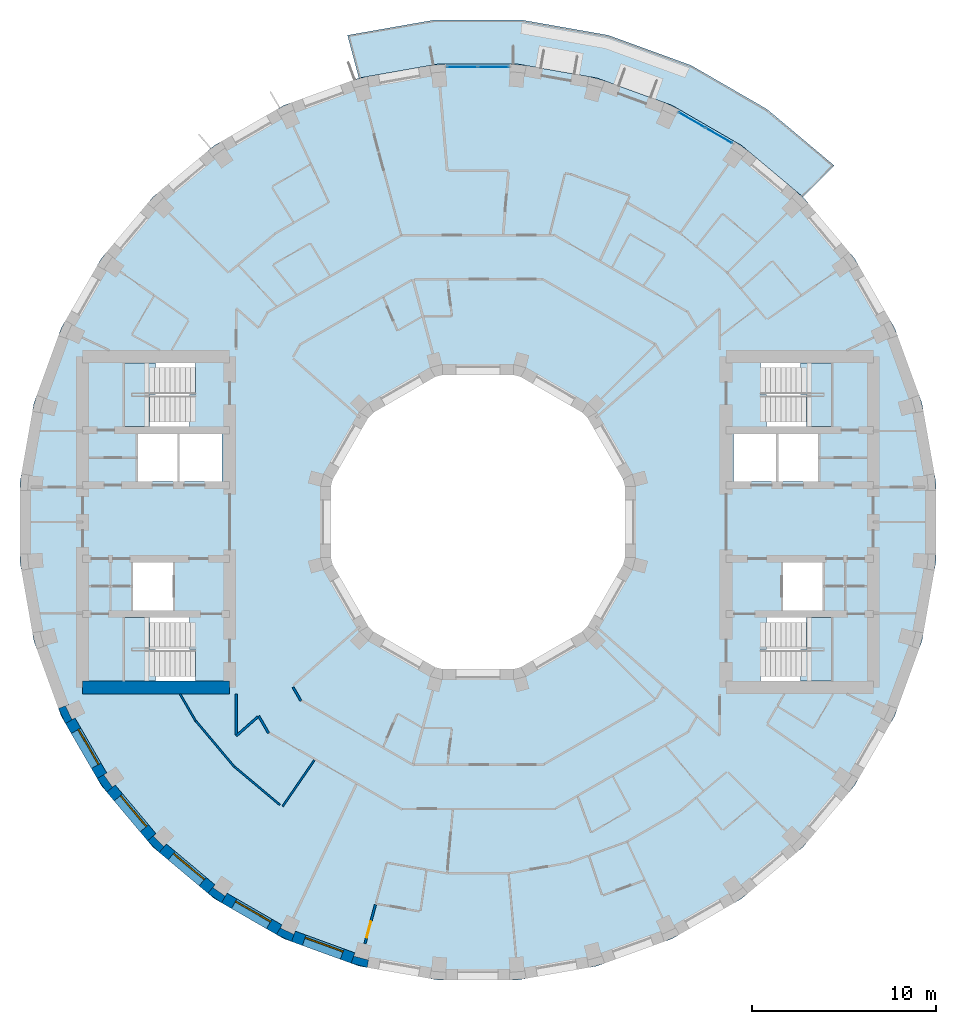
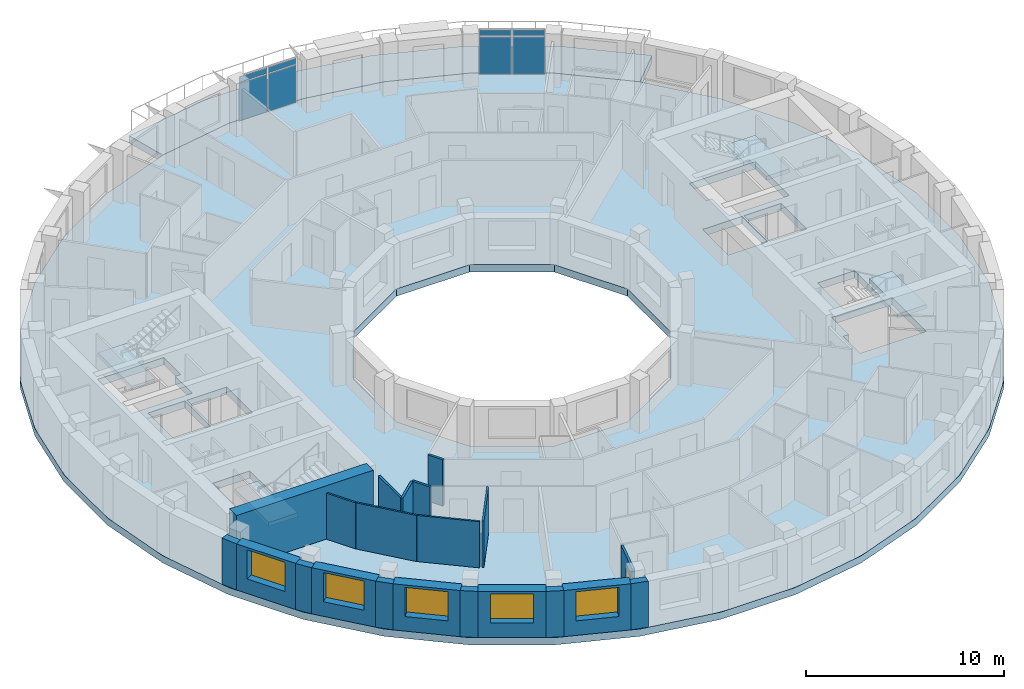
# One storey, part 3 of 13: 21 walls, 8 plates, 6 slabs, 5 windows, 1 door, 6 openings, 6 elements without a shape of their own.
"""IFC4 building model written with IfcOpenShell, lengths in metres."""

import ifcopenshell
import ifcopenshell.guid

model = None  # the IFC model being written
_history = None  # IfcOwnerHistory: only IFC2X3 demands one
_inside = {}  # id of a spatial element -> (the spatial element, [elements in it])
_under = {}  # id of a project, library or spatial element -> (it, [spatial elements below it])
_declared = {}  # id of a project -> (the project, [libraries it declares])
_typed = {}  # id of a type object -> (the type object, [elements of that type])
_made_of = {}  # id of a material, layer set ... -> (it, [elements and type objects made of it])


def new_model(schema):
    """Start an empty IFC model of exactly this schema.

    Asked for "IFC4X3", IfcOpenShell would pick the latest addendum, in which some entities
    have other attributes; the version numbers below select the first issue.
    IFC2X3 requires an IfcOwnerHistory on every rooted entity: one is made here for all.
    """
    global model, _history
    if schema == "IFC4X3":
        model = ifcopenshell.file(schema_version=(4, 3, 0, 0))
    else:
        model = ifcopenshell.file(schema=schema)
    _inside.clear()
    _under.clear()
    _declared.clear()
    _typed.clear()
    _made_of.clear()
    _history = None
    if model.schema == "IFC2X3":
        org = make("IfcOrganization", Name="unknown")
        user = make(
            "IfcPersonAndOrganization",
            ThePerson=make("IfcPerson", FamilyName="unknown"),
            TheOrganization=org,
        )
        app = make(
            "IfcApplication",
            ApplicationDeveloper=org,
            Version="unknown",
            ApplicationFullName="unknown",
            ApplicationIdentifier="unknown",
        )
        _history = make(
            "IfcOwnerHistory",
            OwningUser=user,
            OwningApplication=app,
            ChangeAction="ADDED",
            CreationDate=0,
        )
    return model


def make(cls, **values):
    """One entity of the class cls with the attributes given. An attribute that is None is left unset."""
    return model.create_entity(
        cls, **{name: value for name, value in values.items() if value is not None}
    )


def rooted(cls, **values):
    """An entity with a GlobalId (a new one), such as an element, a storey or a relation."""
    return make(cls, GlobalId=ifcopenshell.guid.new(), OwnerHistory=_history, **values)


def si_unit(unit_type, name, prefix=None):
    """IfcSIUnit, for example si_unit("LENGTHUNIT", "METRE", prefix="MILLI")."""
    return make("IfcSIUnit", UnitType=unit_type, Prefix=prefix, Name=name)


def assignment(units):
    """IfcUnitAssignment: the units of a project."""
    return None if units is None else make("IfcUnitAssignment", Units=units)


def point(xyz):
    """IfcCartesianPoint."""
    return None if xyz is None else make("IfcCartesianPoint", Coordinates=xyz)


def direction(xyz):
    """IfcDirection."""
    return None if xyz is None else make("IfcDirection", DirectionRatios=xyz)


def frame(location, z_axis=None, x_axis=None):
    """IfcAxis2Placement3D, a coordinate frame: its origin and axes. An axis left out is left unset."""
    return make(
        "IfcAxis2Placement3D",
        Location=point(location),
        Axis=direction(z_axis),
        RefDirection=direction(x_axis),
    )


def frame_2d(location, x_axis=None):
    """IfcAxis2Placement2D, a coordinate frame in the plane: its origin and x axis."""
    return make(
        "IfcAxis2Placement2D", Location=point(location), RefDirection=direction(x_axis)
    )


def origin():
    """The frame at (0, 0, 0) with its axes left unset."""
    return frame((0.0, 0.0, 0.0))


def origin_2d():
    """The frame at (0, 0) in the plane with its x axis left unset."""
    return frame_2d((0.0, 0.0))


def place(relative_to, where):
    """IfcLocalPlacement: puts the frame where relative to a parent placement (None: the world)."""
    return make(
        "IfcLocalPlacement", PlacementRelTo=relative_to, RelativePlacement=where
    )


def context(
    kind, dimensions, precision=None, world=None, true_north=None, identifier=None
):
    """IfcGeometricRepresentationContext, for example the 3D "Model" context."""
    return make(
        "IfcGeometricRepresentationContext",
        ContextIdentifier=identifier,
        ContextType=kind,
        CoordinateSpaceDimension=dimensions,
        Precision=precision,
        WorldCoordinateSystem=world,
        TrueNorth=true_north,
    )


def subcontext(parent, identifier, kind, view, scale=None):
    """IfcGeometricRepresentationSubContext, for example "Body" below "Model"."""
    return make(
        "IfcGeometricRepresentationSubContext",
        ContextIdentifier=identifier,
        ContextType=kind,
        ParentContext=parent,
        TargetScale=scale,
        TargetView=view,
    )


def project(units=None, contexts=None):
    """IfcProject with its units and contexts."""
    return rooted(
        "IfcProject",
        Name="project",
        RepresentationContexts=contexts,
        UnitsInContext=assignment(units),
    )


def spatial(cls, under=None, at=None, **own):
    """A site, building, storey or space (cls), placed at a placement, below another one or the project."""
    s = rooted(cls, ObjectPlacement=at, **own)
    if under is not None:
        _under.setdefault(under.id(), (under, []))[1].append(s)
    return s


def polyline(points):
    """IfcPolyline through the points."""
    return make("IfcPolyline", Points=[point(p) for p in points])


def profile(cls, at=None, kind="AREA", **sizes):
    """A parametric profile (cls). Its sizes go by their IFC names, for example OverallWidth=200.0."""
    return make(cls, ProfileType=kind, Position=at, **sizes)


def rectangle(**sizes):
    """IfcRectangleProfileDef."""
    return profile("IfcRectangleProfileDef", **sizes)


def outline(outer, holes=None, kind="AREA"):
    """IfcArbitraryClosedProfileDef: a profile drawn as a closed curve; with holes, ...WithVoids."""
    if holes is None:
        return make("IfcArbitraryClosedProfileDef", ProfileType=kind, OuterCurve=outer)
    return make(
        "IfcArbitraryProfileDefWithVoids",
        ProfileType=kind,
        OuterCurve=outer,
        InnerCurves=holes,
    )


def extrude(swept, where, along, depth):
    """IfcExtrudedAreaSolid: the profile swept, set in the frame where, extruded along a direction by depth."""
    return make(
        "IfcExtrudedAreaSolid",
        SweptArea=swept,
        Position=where,
        ExtrudedDirection=direction(along),
        Depth=depth,
    )


def shape(context_of_items, identifier, shape_type, items):
    """IfcShapeRepresentation: the items that make up one representation, for example the "Body"."""
    return make(
        "IfcShapeRepresentation",
        ContextOfItems=context_of_items,
        RepresentationIdentifier=identifier,
        RepresentationType=shape_type,
        Items=items,
    )


def material(Name=None, Category=None):
    """IfcMaterial."""
    return make("IfcMaterial", Name=Name, Category=Category)


def layer(
    of_material, thickness, ventilated=None, Name=None, Category=None, Priority=None
):
    """IfcMaterialLayer: one layer of a wall or slab, of a material (None: an air gap)."""
    return make(
        "IfcMaterialLayer",
        Material=of_material,
        LayerThickness=thickness,
        IsVentilated=ventilated,
        Name=Name,
        Category=Category,
        Priority=Priority,
    )


def layer_set(layers, Name=None):
    """IfcMaterialLayerSet."""
    return make("IfcMaterialLayerSet", MaterialLayers=layers, LayerSetName=Name)


def made_of(thing, what):
    """Note that an element or type object is made of a material, layer set ...; save() writes the relation."""
    if what is not None:
        _made_of.setdefault(what.id(), (what, []))[1].append(thing)
    return thing


def type_object(cls, material=None, **own):
    """A type object (cls), such as IfcWallType, which elements share."""
    return made_of(rooted(cls, **own), material)


def element(
    cls,
    number,
    at=None,
    inside=None,
    cuts=None,
    type_object=None,
    material=None,
    context=None,
    identifier="Body",
    shape_type=None,
    held_by="IfcProductDefinitionShape",
    body=None,
    shapes=None,
    **own,
):
    """One element of the class cls, such as IfcWall. Its Tag is "e" and its number.

    at: its placement. inside: the storey or other place that contains it. cuts: it is an
    opening in that element (IfcRelVoidsElement). A single representation is given by context,
    identifier, shape_type and body (its items); several are given by shapes. held_by: the class
    of the entity that holds the representations. save() writes the other relations.
    """
    e = rooted(cls, Tag="e%d" % number, ObjectPlacement=at, **own)
    if body is not None:
        shapes = [shape(context, identifier, shape_type, body)]
    if shapes is not None:
        e.Representation = make(held_by, Representations=shapes)
    if inside is not None:
        _inside.setdefault(inside.id(), (inside, []))[1].append(e)
    if cuts is not None:
        rooted(
            "IfcRelVoidsElement", RelatingBuildingElement=cuts, RelatedOpeningElement=e
        )
    if type_object is not None:
        _typed.setdefault(type_object.id(), (type_object, []))[1].append(e)
    return made_of(e, material)


def fill(opening, filler):
    """IfcRelFillsElement: the door or window that sits in an opening."""
    return rooted(
        "IfcRelFillsElement",
        RelatingOpeningElement=opening,
        RelatedBuildingElement=filler,
    )


def aggregate(whole, parts):
    """IfcRelAggregates: a whole, such as a stair, and the parts it consists of."""
    return rooted("IfcRelAggregates", RelatingObject=whole, RelatedObjects=parts)


def save(model, path):
    """Write the relations noted so far, then the file.

    IfcRelAggregates (storeys below a building ...), IfcRelContainedInSpatialStructure (elements
    in a storey), IfcRelDefinesByType, IfcRelAssociatesMaterial and IfcRelDeclares: one each for
    every whole, place, type object, material and project.
    """
    for whole, parts in _under.values():
        aggregate(whole, parts)
    for where, things in _inside.values():
        rooted(
            "IfcRelContainedInSpatialStructure",
            RelatedElements=things,
            RelatingStructure=where,
        )
    for kind, things in _typed.values():
        rooted("IfcRelDefinesByType", RelatedObjects=things, RelatingType=kind)
    for what, things in _made_of.values():
        rooted("IfcRelAssociatesMaterial", RelatedObjects=things, RelatingMaterial=what)
    for by, libraries in _declared.values():
        rooted("IfcRelDeclares", RelatingContext=by, RelatedDefinitions=libraries)
    model.write(path)


model = new_model("IFC4")

# Units and contexts
model_context = context("Model", 3, precision=1e-05, world=origin(), true_north=direction((0.0, 1.0)))
body_context = subcontext(model_context, "Body", "Model", "MODEL_VIEW")
ifc_project = project(units=[si_unit("LENGTHUNIT", "METRE"), si_unit("AREAUNIT", "SQUARE_METRE"), si_unit("VOLUMEUNIT", "CUBIC_METRE"), si_unit("PLANEANGLEUNIT", "RADIAN"), si_unit("MASSUNIT", "GRAM", prefix="KILO")], contexts=[model_context])

# Site, building, storey
site_placement = place(None, origin())
site = spatial("IfcSite", under=ifc_project, at=site_placement, CompositionType="ELEMENT")
building_placement = place(site_placement, origin())
building = spatial("IfcBuilding", under=site, at=building_placement, Name="Saqina Gate Tower", CompositionType="ELEMENT")
storey_placement = place(building_placement, frame((0.0, 0.0, 207.0)))
storey = spatial("IfcBuildingStorey", under=building, at=storey_placement, Name="L59", CompositionType="ELEMENT", Elevation=207.0)

# Curtain wall, plates
ifc_material_1 = material(Name="Aluminium glazing", Category="aluminium")
ifc_layer_1 = layer(ifc_material_1, 0.159912109375)
ifc_layer_set_1 = layer_set([ifc_layer_1], Name="CWT-4")
curtain_wall_type = type_object("IfcCurtainWallType", Name="CWT-4", PredefinedType="NOTDEFINED", material=ifc_layer_set_1)
curtain_wall_1_placement = place(storey_placement, origin())
curtain_wall_1 = element("IfcCurtainWall", 1, at=curtain_wall_1_placement, inside=storey, type_object=curtain_wall_type, Name="Terrace lounge glazing facet 6", PredefinedType="NOTDEFINED")
ifc_material_2 = material(Name="Glass", Category="glass")
ifc_layer_2 = layer(ifc_material_2, 0.028076171875)
ifc_layer_set_2 = layer_set([ifc_layer_2], Name="CWT-4P")
plate_type = type_object("IfcPlateType", Name="CWT-4P", PredefinedType="CURTAIN_PANEL", material=ifc_layer_set_2)
plate_1_placement = place(storey_placement, frame((13.111328125, 21.0146484375, 0.06005859375), z_axis=(0.0, 0.0, 1.0), x_axis=(-0.866017110341, 0.500014364391, 0.0)))
plate_1 = element("IfcPlate", 2, at=plate_1_placement, type_object=plate_type, Name="CW4-06 panel 1.1", PredefinedType="CURTAIN_PANEL", context=body_context, shape_type="SweptSolid", body=[
    extrude(rectangle(XDim=1.634765625, YDim=0.028076171875, at=origin_2d()), origin(), (0.0, 0.0, 1.0), 2.31005859375),
])
plate_2_placement = place(storey_placement, frame((13.111328125, 21.0146484375, 2.43017578125), z_axis=(0.0, 0.0, 1.0), x_axis=(-0.866017110341, 0.500014364391, 0.0)))
plate_2 = element("IfcPlate", 3, at=plate_2_placement, type_object=plate_type, Name="CW4-06 panel 1.2", PredefinedType="CURTAIN_PANEL", context=body_context, shape_type="SweptSolid", body=[
    extrude(rectangle(XDim=1.634765625, YDim=0.028076171875, at=origin_2d()), origin(), (0.0, 0.0, 1.0), 0.360107421875),
])
plate_3_placement = place(storey_placement, frame((11.6435546875, 21.862060546875, 0.06005859375), z_axis=(0.0, 0.0, 1.0), x_axis=(-0.866017110341, 0.500014364391, 0.0)))
plate_3 = element("IfcPlate", 4, at=plate_3_placement, type_object=plate_type, Name="CW4-06 panel 2.1", PredefinedType="CURTAIN_PANEL", context=body_context, shape_type="SweptSolid", body=[
    extrude(rectangle(XDim=1.634765625, YDim=0.028076171875, at=origin_2d()), origin(), (0.0, 0.0, 1.0), 2.31005859375),
])
plate_4_placement = place(storey_placement, frame((11.6435546875, 21.862060546875, 2.43017578125), z_axis=(0.0, 0.0, 1.0), x_axis=(-0.866017110341, 0.500014364391, 0.0)))
plate_4 = element("IfcPlate", 5, at=plate_4_placement, type_object=plate_type, Name="CW4-06 panel 2.2", PredefinedType="CURTAIN_PANEL", context=body_context, shape_type="SweptSolid", body=[
    extrude(rectangle(XDim=1.634765625, YDim=0.028076171875, at=origin_2d()), origin(), (0.0, 0.0, 1.0), 0.360107421875),
])
aggregate(curtain_wall_1, [plate_1, plate_2, plate_3, plate_4])

curtain_wall_2_placement = place(storey_placement, origin())
curtain_wall_2 = element("IfcCurtainWall", 6, at=curtain_wall_2_placement, inside=storey, type_object=curtain_wall_type, Name="Terrace lounge glazing facet 9", PredefinedType="NOTDEFINED")
plate_5_placement = place(storey_placement, frame((0.847412109375, 24.7548828125, 0.06005859375), z_axis=(0.0, 0.0, 1.0), x_axis=(-1.0, 0.0, 0.0)))
plate_5 = element("IfcPlate", 7, at=plate_5_placement, type_object=plate_type, Name="CW4-09 panel 1.1", PredefinedType="CURTAIN_PANEL", context=body_context, shape_type="SweptSolid", body=[
    extrude(rectangle(XDim=1.635009765625, YDim=0.028076171875, at=origin_2d()), origin(), (0.0, 0.0, 1.0), 2.31005859375),
])
plate_6_placement = place(storey_placement, frame((0.847412109375, 24.7548828125, 2.43017578125), z_axis=(0.0, 0.0, 1.0), x_axis=(-1.0, 0.0, 0.0)))
plate_6 = element("IfcPlate", 8, at=plate_6_placement, type_object=plate_type, Name="CW4-09 panel 1.2", PredefinedType="CURTAIN_PANEL", context=body_context, shape_type="SweptSolid", body=[
    extrude(rectangle(XDim=1.635009765625, YDim=0.028076171875, at=origin_2d()), origin(), (0.0, 0.0, 1.0), 0.360107421875),
])
plate_7_placement = place(storey_placement, frame((-0.847412109375, 24.7548828125, 0.06005859375), z_axis=(0.0, 0.0, 1.0), x_axis=(-1.0, 0.0, 0.0)))
plate_7 = element("IfcPlate", 9, at=plate_7_placement, type_object=plate_type, Name="CW4-09 panel 2.1", PredefinedType="CURTAIN_PANEL", context=body_context, shape_type="SweptSolid", body=[
    extrude(rectangle(XDim=1.635009765625, YDim=0.028076171875, at=origin_2d()), origin(), (0.0, 0.0, 1.0), 2.31005859375),
])
plate_8_placement = place(storey_placement, frame((-0.847412109375, 24.7548828125, 2.43017578125), z_axis=(0.0, 0.0, 1.0), x_axis=(-1.0, 0.0, 0.0)))
plate_8 = element("IfcPlate", 10, at=plate_8_placement, type_object=plate_type, Name="CW4-09 panel 2.2", PredefinedType="CURTAIN_PANEL", context=body_context, shape_type="SweptSolid", body=[
    extrude(rectangle(XDim=1.635009765625, YDim=0.028076171875, at=origin_2d()), origin(), (0.0, 0.0, 1.0), 0.360107421875),
])
aggregate(curtain_wall_2, [plate_5, plate_6, plate_7, plate_8])

# Stair, slab
ifc_material_3 = material(Name="Concrete C40/50", Category="concrete")
stair_type = type_object("IfcStairType", Name="EXIT STAIR", PredefinedType="HALF_TURN_STAIR", material=ifc_material_3)
stair_1_placement = place(storey_placement, origin())
stair_1 = element("IfcStair", 11, at=stair_1_placement, inside=storey, type_object=stair_type, Name="EXIT STAIR 1", PredefinedType="HALF_TURN_STAIR")
ifc_material_4 = material(Name="Concrete C40/50", Category="concrete")
ifc_layer_3 = layer(ifc_material_4, 0.25)
ifc_layer_set_3 = layer_set([ifc_layer_3], Name="Concrete C40/50")
slab_type_1 = type_object("IfcSlabType", Name="EXIT STAIR LANDING", PredefinedType="LANDING", material=ifc_layer_set_3)
slab_1_placement = place(storey_placement, frame((0.0, 0.0, 1.39990234375)))
slab_1 = element("IfcSlab", 12, at=slab_1_placement, type_object=slab_type_1, Name="EXIT STAIR 1 LANDING 1", PredefinedType="LANDING", context=body_context, shape_type="SweptSolid", body=[
    extrude(outline(polyline([(19.219970703125, 8.64990234375), (19.219970703125, 5.199951171875), (17.864990234375, 5.199951171875), (17.864990234375, 6.925048828125), (17.534423828125, 6.925048828125), (17.534423828125, 8.64990234375), (17.864990234375, 8.64990234375), (17.8701171875, 8.64990234375), (19.219970703125, 8.64990234375)])), origin(), (0.0, 0.0, 1.0), 0.25),
])
aggregate(stair_1, [slab_1])

stair_2_placement = place(storey_placement, origin())
stair_2 = element("IfcStair", 13, at=stair_2_placement, inside=storey, type_object=stair_type, Name="EXIT STAIR 2", PredefinedType="HALF_TURN_STAIR")
slab_2_placement = place(storey_placement, frame((0.0, 0.0, 1.39990234375)))
slab_2 = element("IfcSlab", 14, at=slab_2_placement, type_object=slab_type_1, Name="EXIT STAIR 2 LANDING 1", PredefinedType="LANDING", context=body_context, shape_type="SweptSolid", body=[
    extrude(outline(polyline([(17.534423828125, -8.64990234375), (17.534423828125, -6.925048828125), (17.864990234375, -6.925048828125), (17.864990234375, -5.199951171875), (19.219970703125, -5.199951171875), (19.219970703125, -8.64990234375), (17.8701171875, -8.64990234375), (17.864990234375, -8.64990234375), (17.534423828125, -8.64990234375)])), origin(), (0.0, 0.0, 1.0), 0.25),
])
aggregate(stair_2, [slab_2])

stair_3_placement = place(storey_placement, origin())
stair_3 = element("IfcStair", 15, at=stair_3_placement, inside=storey, type_object=stair_type, Name="EXIT STAIR 3", PredefinedType="HALF_TURN_STAIR")
slab_3_placement = place(storey_placement, frame((0.0, 0.0, 1.39990234375)))
slab_3 = element("IfcSlab", 16, at=slab_3_placement, type_object=slab_type_1, Name="EXIT STAIR 3 LANDING 1", PredefinedType="LANDING", context=body_context, shape_type="SweptSolid", body=[
    extrude(outline(polyline([(-17.864990234375, 5.199951171875), (-19.219970703125, 5.199951171875), (-19.219970703125, 8.64990234375), (-17.8701171875, 8.64990234375), (-17.864990234375, 8.64990234375), (-17.534423828125, 8.64990234375), (-17.534423828125, 6.925048828125), (-17.864990234375, 6.925048828125), (-17.864990234375, 5.199951171875)])), origin(), (0.0, 0.0, 1.0), 0.25),
])
aggregate(stair_3, [slab_3])

stair_4_placement = place(storey_placement, origin())
stair_4 = element("IfcStair", 17, at=stair_4_placement, inside=storey, type_object=stair_type, Name="EXIT STAIR 4", PredefinedType="HALF_TURN_STAIR")
slab_4_placement = place(storey_placement, frame((0.0, 0.0, 1.39990234375)))
slab_4 = element("IfcSlab", 18, at=slab_4_placement, type_object=slab_type_1, Name="EXIT STAIR 4 LANDING 1", PredefinedType="LANDING", context=body_context, shape_type="SweptSolid", body=[
    extrude(outline(polyline([(-17.534423828125, -6.925048828125), (-17.534423828125, -8.64990234375), (-17.864990234375, -8.64990234375), (-17.8701171875, -8.64990234375), (-19.219970703125, -8.64990234375), (-19.219970703125, -5.199951171875), (-17.864990234375, -5.199951171875), (-17.864990234375, -6.925048828125), (-17.534423828125, -6.925048828125)])), origin(), (0.0, 0.0, 1.0), 0.25),
])
aggregate(stair_4, [slab_4])

# Slabs
ifc_material_5 = material(Name="Concrete C40/50", Category="concrete")
ifc_layer_4 = layer(ifc_material_5, 0.449951171875)
ifc_layer_set_4 = layer_set([ifc_layer_4], Name="Concrete C40/50")
slab_type_2 = type_object("IfcSlabType", Name="STR-POST-TENSIONED FLAT PLATE FLOOR-450", PredefinedType="FLOOR", material=ifc_layer_set_4)
slab_5_placement = place(storey_placement, frame((0.0, 0.0, -0.449951171875)))
element("IfcSlab", 19, at=slab_5_placement, inside=storey, type_object=slab_type_2, Name="L59-SLB01", PredefinedType="FLOOR", context=body_context, shape_type="SweptSolid", body=[
    extrude(outline(polyline([(24.148193359375, -6.470458984375), (24.90478515625, -2.178955078125), (24.90478515625, 2.178955078125), (24.148193359375, 6.470458984375), (22.65771484375, 10.5654296875), (20.478759765625, 14.33935546875), (17.677734375, 17.677734375), (14.33935546875, 20.478759765625), (10.5654296875, 22.65771484375), (6.470458984375, 24.148193359375), (2.178955078125, 24.90478515625), (-2.178955078125, 24.90478515625), (-6.470458984375, 24.148193359375), (-10.5654296875, 22.65771484375), (-14.33935546875, 20.478759765625), (-17.677734375, 17.677734375), (-20.478759765625, 14.33935546875), (-22.65771484375, 10.5654296875), (-24.148193359375, 6.470458984375), (-24.90478515625, 2.178955078125), (-24.90478515625, -2.178955078125), (-24.148193359375, -6.470458984375), (-22.65771484375, -10.5654296875), (-20.478759765625, -14.33935546875), (-17.677734375, -17.677734375), (-14.33935546875, -20.478759765625), (-10.5654296875, -22.65771484375), (-6.470458984375, -24.148193359375), (-2.178955078125, -24.90478515625), (2.178955078125, -24.90478515625), (6.470458984375, -24.148193359375), (10.5654296875, -22.65771484375), (14.33935546875, -20.478759765625), (17.677734375, -17.677734375), (20.478759765625, -14.33935546875), (22.65771484375, -10.5654296875), (24.148193359375, -6.470458984375)]), holes=[polyline([(2.1435546875, 8.0), (5.8564453125, 5.8564453125), (8.0, 2.1435546875), (8.0, -2.1435546875), (5.8564453125, -5.8564453125), (2.1435546875, -8.0), (-2.1435546875, -8.0), (-5.8564453125, -5.8564453125), (-8.0, -2.1435546875), (-8.0, 2.1435546875), (-5.8564453125, 5.8564453125), (-2.1435546875, 8.0), (2.1435546875, 8.0)]), polyline([(-15.35498046875, -8.64990234375), (-19.219970703125, -8.64990234375), (-19.219970703125, -6.925048828125), (-19.219970703125, -5.199951171875), (-15.685546875, -5.199951171875), (-15.685546875, -6.925048828125), (-15.35498046875, -6.925048828125), (-15.35498046875, -8.64990234375)]), polyline([(-16.590087890625, -2.199951171875), (-16.590087890625, -4.800048828125), (-18.75, -4.800048828125), (-18.75, -2.199951171875), (-16.590087890625, -2.199951171875)]), polyline([(-16.340087890625, 4.800048828125), (-16.340087890625, 2.199951171875), (-18.5, 2.199951171875), (-18.5, 4.800048828125), (-16.340087890625, 4.800048828125)]), polyline([(-13.909912109375, 4.800048828125), (-13.909912109375, 2.199951171875), (-16.219970703125, 2.199951171875), (-16.219970703125, 4.800048828125), (-13.909912109375, 4.800048828125)]), polyline([(-19.219970703125, 6.925048828125), (-19.219970703125, 8.64990234375), (-15.35498046875, 8.64990234375), (-15.35498046875, 6.925048828125), (-15.685546875, 6.925048828125), (-15.685546875, 5.199951171875), (-19.219970703125, 5.199951171875), (-19.219970703125, 6.925048828125)]), polyline([(15.35498046875, -8.64990234375), (15.35498046875, -6.925048828125), (15.685546875, -6.925048828125), (15.685546875, -5.199951171875), (19.219970703125, -5.199951171875), (19.219970703125, -6.925048828125), (19.219970703125, -8.64990234375), (15.35498046875, -8.64990234375)]), polyline([(18.75, -2.199951171875), (18.75, -4.800048828125), (16.590087890625, -4.800048828125), (16.590087890625, -2.199951171875), (18.75, -2.199951171875)]), polyline([(16.219970703125, 4.800048828125), (16.219970703125, 2.199951171875), (13.909912109375, 2.199951171875), (13.909912109375, 4.800048828125), (16.219970703125, 4.800048828125)]), polyline([(18.5, 4.800048828125), (18.5, 2.199951171875), (16.340087890625, 2.199951171875), (16.340087890625, 4.800048828125), (18.5, 4.800048828125)]), polyline([(15.685546875, 6.925048828125), (15.35498046875, 6.925048828125), (15.35498046875, 8.64990234375), (19.219970703125, 8.64990234375), (19.219970703125, 6.925048828125), (19.219970703125, 5.199951171875), (15.685546875, 5.199951171875), (15.685546875, 6.925048828125)])]), origin(), (0.0, 0.0, 1.0), 0.449951171875),
])
ifc_material_6 = material(Name="Concrete C40/50", Category="concrete")
ifc_layer_5 = layer(ifc_material_6, 0.449951171875)
ifc_layer_set_5 = layer_set([ifc_layer_5], Name="Concrete C40/50")
slab_type_3 = type_object("IfcSlabType", Name="STR-POST-TENSIONED FLAT PLATE TERRACE-450", PredefinedType="FLOOR", material=ifc_layer_set_5)
slab_6_placement = place(storey_placement, frame((0.0, 0.0, -0.449951171875)))
element("IfcSlab", 20, at=slab_6_placement, inside=storey, type_object=slab_type_3, Name="L59-TRS01", PredefinedType="FLOOR", context=body_context, shape_type="SweptSolid", body=[
    extrude(outline(polyline([(17.677734375, 17.677734375), (14.33935546875, 20.478759765625), (10.5654296875, 22.65771484375), (6.470458984375, 24.148193359375), (2.178955078125, 24.90478515625), (-2.178955078125, 24.90478515625), (-6.470458984375, 24.148193359375), (-7.093994140625, 26.475341796875), (-2.388916015625, 27.304931640625), (2.388916015625, 27.304931640625), (7.093994140625, 26.475341796875), (11.58349609375, 24.841064453125), (15.72119140625, 22.452392578125), (19.381103515625, 19.381103515625), (17.677734375, 17.677734375)])), origin(), (0.0, 0.0, 1.0), 0.449951171875),
])

# Walls
ifc_material_7 = material(Name="Brick masonry (buff)", Category="masonry")
wall_type_1 = type_object("IfcWallType", Name="BRICK PIER COPING BUFF", PredefinedType="SOLIDWALL", material=ifc_material_7)
wall_1_placement = place(storey_placement, origin())
element("IfcWall", 21, at=wall_1_placement, inside=storey, type_object=wall_type_1, Name="Pier cap L59 column 21", PredefinedType="SOLIDWALL", context=body_context, shape_type="SweptSolid", body=[
    extrude(outline(polyline([(-22.4306640625, -10.958740234375), (-21.9111328125, -10.65869140625), (-22.080810546875, -10.73779296875), (-22.4189453125, -10.0126953125), (-22.249267578125, -9.93359375), (-22.81298828125, -10.138916015625), (-22.4306640625, -10.958740234375)])), origin(), (0.0, 0.0, 1.0), 2.85009765625),
])
wall_2_placement = place(storey_placement, origin())
element("IfcWall", 22, at=wall_2_placement, inside=storey, type_object=wall_type_1, Name="Pier cap L59 column 22", PredefinedType="SOLIDWALL", context=body_context, shape_type="SweptSolid", body=[
    extrude(outline(polyline([(-20.705810546875, -13.9462890625), (-20.18701171875, -14.687255859375), (-19.727294921875, -14.301513671875), (-19.880859375, -14.408935546875), (-20.339599609375, -13.753662109375), (-20.186279296875, -13.646240234375), (-20.705810546875, -13.9462890625)])), origin(), (0.0, 0.0, 1.0), 2.85009765625),
])
wall_3_placement = place(storey_placement, origin())
element("IfcWall", 23, at=wall_3_placement, inside=storey, type_object=wall_type_1, Name="Pier cap L59 column 23", PredefinedType="SOLIDWALL", context=body_context, shape_type="SweptSolid", body=[
    extrude(outline(polyline([(-17.329833984375, -17.969482421875), (-16.944091796875, -17.510009765625), (-17.07666015625, -17.642333984375), (-17.642333984375, -17.07666015625), (-17.510009765625, -16.944091796875), (-17.969482421875, -17.329833984375), (-17.329833984375, -17.969482421875)])), origin(), (0.0, 0.0, 1.0), 2.85009765625),
])
wall_4_placement = place(storey_placement, origin())
element("IfcWall", 24, at=wall_4_placement, inside=storey, type_object=wall_type_1, Name="Pier cap L59 column 24", PredefinedType="SOLIDWALL", context=body_context, shape_type="SweptSolid", body=[
    extrude(outline(polyline([(-14.687255859375, -20.18701171875), (-13.9462890625, -20.705810546875), (-13.646240234375, -20.186279296875), (-13.753662109375, -20.339599609375), (-14.408935546875, -19.880859375), (-14.301513671875, -19.727294921875), (-14.687255859375, -20.18701171875)])), origin(), (0.0, 0.0, 1.0), 2.85009765625),
])
wall_5_placement = place(storey_placement, origin())
element("IfcWall", 25, at=wall_5_placement, inside=storey, type_object=wall_type_1, Name="Pier cap L59 column 25", PredefinedType="SOLIDWALL", context=body_context, shape_type="SweptSolid", body=[
    extrude(outline(polyline([(-10.138916015625, -22.81298828125), (-9.93359375, -22.249267578125), (-10.0126953125, -22.4189453125), (-10.73779296875, -22.080810546875), (-10.65869140625, -21.9111328125), (-10.958740234375, -22.4306640625), (-10.138916015625, -22.81298828125)])), origin(), (0.0, 0.0, 1.0), 2.85009765625),
])
wall_6_placement = place(storey_placement, origin())
element("IfcWall", 26, at=wall_6_placement, inside=storey, type_object=wall_type_1, Name="Pier cap L59 column 26", PredefinedType="SOLIDWALL", context=body_context, shape_type="SweptSolid", body=[
    extrude(outline(polyline([(-6.0234375, -24.22705078125), (-5.919189453125, -23.635986328125), (-5.967529296875, -23.81689453125), (-6.740478515625, -23.610107421875), (-6.69189453125, -23.428955078125), (-6.897216796875, -23.992919921875), (-6.0234375, -24.22705078125)])), origin(), (0.0, 0.0, 1.0), 2.85009765625),
])

# Wall, opening, window
ifc_material_8 = material(Name="Brick masonry (buff)", Category="masonry")
ifc_layer_6 = layer(ifc_material_8, 0.60009765625)
ifc_layer_set_6 = layer_set([ifc_layer_6], Name="FW-BRICK-BUFF")
wall_type_2 = type_object("IfcWallType", Name="FW-BRICK-BUFF", PredefinedType="SOLIDWALL", material=ifc_layer_set_6)
wall_7_placement = place(storey_placement, frame((-22.1708984375, -10.80859375, 0.0), z_axis=(0.0, 0.0, 1.0), x_axis=(0.499998129301, -0.86602648383, 0.0)))
wall_7 = element("IfcWall", 27, at=wall_7_placement, inside=storey, type_object=wall_type_2, Name="Facade wall L59 facet 21", PredefinedType="SOLIDWALL", context=body_context, shape_type="SweptSolid", body=[
    extrude(rectangle(XDim=3.44970703125, YDim=0.60009765625, at=frame_2d((1.724853515625, 0.0))), origin(), (0.0, 0.0, 1.0), 2.85009765625),
])
opening_1_placement = place(wall_7_placement, frame((0.625, 0.0, 0.89990234375)))
opening_1 = element("IfcOpeningElement", 28, at=opening_1_placement, cuts=wall_7, Name="Opening G17-W10", PredefinedType="OPENING", context=body_context, shape_type="SweptSolid", body=[
    extrude(rectangle(XDim=2.199951171875, YDim=1.800048828125, at=frame_2d((1.10009765625, 0.89990234375))), frame((0.0, 0.31201171875, 0.0), z_axis=(0.0, -1.0, 0.0), x_axis=(1.0, 0.0, 0.0)), (0.0, 0.0, 1.0), 0.6240234375),
])
ifc_material_9 = material(Name="Aluminium glazing", Category="aluminium")
window_type = type_object("IfcWindowType", Name="WN-C", PartitioningType="SINGLE_PANEL", PredefinedType="WINDOW", material=ifc_material_9)
window_1_placement = place(opening_1_placement, origin())
window_1 = element("IfcWindow", 29, at=window_1_placement, inside=storey, type_object=window_type, Name="Window L59 facet 21", OverallHeight=1.800048828125, OverallWidth=2.199951171875, PartitioningType="SINGLE_PANEL", PredefinedType="WINDOW", context=body_context, shape_type="SweptSolid", body=[
    extrude(rectangle(XDim=2.199951171875, YDim=1.800048828125, at=frame_2d((1.10009765625, 0.89990234375))), frame((0.0, 0.179931640625, 0.0), z_axis=(0.0, -1.0, 0.0), x_axis=(1.0, 0.0, 0.0)), (0.0, 0.0, 1.0), 0.06005859375),
])
fill(opening_1, window_1)

wall_8_placement = place(storey_placement, frame((-19.95703125, -14.494384765625, 0.0), z_axis=(0.0, 0.0, 1.0), x_axis=(0.642770398358, -0.766058884809, 0.0)))
wall_8 = element("IfcWall", 30, at=wall_8_placement, inside=storey, type_object=wall_type_2, Name="Facade wall L59 facet 22", PredefinedType="SOLIDWALL", context=body_context, shape_type="SweptSolid", body=[
    extrude(rectangle(XDim=3.449462890625, YDim=0.60009765625, at=frame_2d((1.724609375, 0.0))), origin(), (0.0, 0.0, 1.0), 2.85009765625),
])
opening_2_placement = place(wall_8_placement, frame((0.625, 0.0, 0.89990234375)))
opening_2 = element("IfcOpeningElement", 31, at=opening_2_placement, cuts=wall_8, Name="Opening G17-W11", PredefinedType="OPENING", context=body_context, shape_type="SweptSolid", body=[
    extrude(rectangle(XDim=2.199951171875, YDim=1.800048828125, at=frame_2d((1.10009765625, 0.89990234375))), frame((0.0, 0.31201171875, 0.0), z_axis=(0.0, -1.0, 0.0), x_axis=(1.0, 0.0, 0.0)), (0.0, 0.0, 1.0), 0.6240234375),
])
window_2_placement = place(opening_2_placement, origin())
window_2 = element("IfcWindow", 32, at=window_2_placement, inside=storey, type_object=window_type, Name="Window L59 facet 22", OverallHeight=1.800048828125, OverallWidth=2.199951171875, PartitioningType="SINGLE_PANEL", PredefinedType="WINDOW", context=body_context, shape_type="SweptSolid", body=[
    extrude(rectangle(XDim=2.199951171875, YDim=1.800048828125, at=frame_2d((1.10009765625, 0.89990234375))), frame((0.0, 0.179931640625, 0.0), z_axis=(0.0, -1.0, 0.0), x_axis=(1.0, 0.0, 0.0)), (0.0, 0.0, 1.0), 0.06005859375),
])
fill(opening_2, window_2)

wall_9_placement = place(storey_placement, frame((-17.136962890625, -17.73974609375, 0.0), z_axis=(0.0, 0.0, 1.0), x_axis=(0.766058884809, -0.642770398358, 0.0)))
wall_9 = element("IfcWall", 33, at=wall_9_placement, inside=storey, type_object=wall_type_2, Name="Facade wall L59 facet 23", PredefinedType="SOLIDWALL", context=body_context, shape_type="SweptSolid", body=[
    extrude(rectangle(XDim=3.449462890625, YDim=0.60009765625, at=frame_2d((1.724609375, 0.0))), origin(), (0.0, 0.0, 1.0), 2.85009765625),
])
opening_3_placement = place(wall_9_placement, frame((0.625, 0.0, 0.89990234375)))
opening_3 = element("IfcOpeningElement", 34, at=opening_3_placement, cuts=wall_9, Name="Opening G17-W12", PredefinedType="OPENING", context=body_context, shape_type="SweptSolid", body=[
    extrude(rectangle(XDim=2.199951171875, YDim=1.800048828125, at=frame_2d((1.10009765625, 0.89990234375))), frame((0.0, 0.31201171875, 0.0), z_axis=(0.0, -1.0, 0.0), x_axis=(1.0, 0.0, 0.0)), (0.0, 0.0, 1.0), 0.6240234375),
])
window_3_placement = place(opening_3_placement, origin())
window_3 = element("IfcWindow", 35, at=window_3_placement, inside=storey, type_object=window_type, Name="Window L59 facet 23", OverallHeight=1.800048828125, OverallWidth=2.199951171875, PartitioningType="SINGLE_PANEL", PredefinedType="WINDOW", context=body_context, shape_type="SweptSolid", body=[
    extrude(rectangle(XDim=2.199951171875, YDim=1.800048828125, at=frame_2d((1.10009765625, 0.89990234375))), frame((0.0, 0.179931640625, 0.0), z_axis=(0.0, -1.0, 0.0), x_axis=(1.0, 0.0, 0.0)), (0.0, 0.0, 1.0), 0.06005859375),
])
fill(opening_3, window_3)

wall_10_placement = place(storey_placement, frame((-13.796142578125, -20.446044921875, 0.0), z_axis=(0.0, 0.0, 1.0), x_axis=(0.86602648383, -0.499998129301, 0.0)))
wall_10 = element("IfcWall", 36, at=wall_10_placement, inside=storey, type_object=wall_type_2, Name="Facade wall L59 facet 24", PredefinedType="SOLIDWALL", context=body_context, shape_type="SweptSolid", body=[
    extrude(rectangle(XDim=3.44970703125, YDim=0.60009765625, at=frame_2d((1.724853515625, 0.0))), origin(), (0.0, 0.0, 1.0), 2.85009765625),
])
opening_4_placement = place(wall_10_placement, frame((0.625, 0.0, 0.89990234375)))
opening_4 = element("IfcOpeningElement", 37, at=opening_4_placement, cuts=wall_10, Name="Opening G17-W13", PredefinedType="OPENING", context=body_context, shape_type="SweptSolid", body=[
    extrude(rectangle(XDim=2.199951171875, YDim=1.800048828125, at=frame_2d((1.10009765625, 0.89990234375))), frame((0.0, 0.31201171875, 0.0), z_axis=(0.0, -1.0, 0.0), x_axis=(1.0, 0.0, 0.0)), (0.0, 0.0, 1.0), 0.6240234375),
])
window_4_placement = place(opening_4_placement, origin())
window_4 = element("IfcWindow", 38, at=window_4_placement, inside=storey, type_object=window_type, Name="Window L59 facet 24", OverallHeight=1.800048828125, OverallWidth=2.199951171875, PartitioningType="SINGLE_PANEL", PredefinedType="WINDOW", context=body_context, shape_type="SweptSolid", body=[
    extrude(rectangle(XDim=2.199951171875, YDim=1.800048828125, at=frame_2d((1.10009765625, 0.89990234375))), frame((0.0, 0.179931640625, 0.0), z_axis=(0.0, -1.0, 0.0), x_axis=(1.0, 0.0, 0.0)), (0.0, 0.0, 1.0), 0.06005859375),
])
fill(opening_4, window_4)

wall_11_placement = place(storey_placement, frame((-10.0361328125, -22.531005859375, 0.0), z_axis=(0.0, 0.0, 1.0), x_axis=(0.93968799822, -0.342032843455, 0.0)))
wall_11 = element("IfcWall", 39, at=wall_11_placement, inside=storey, type_object=wall_type_2, Name="Facade wall L59 facet 25", PredefinedType="SOLIDWALL", context=body_context, shape_type="SweptSolid", body=[
    extrude(rectangle(XDim=3.44970703125, YDim=0.60009765625, at=frame_2d((1.724853515625, 0.0))), origin(), (0.0, 0.0, 1.0), 2.85009765625),
])
opening_5_placement = place(wall_11_placement, frame((0.625, 0.0, 0.89990234375)))
opening_5 = element("IfcOpeningElement", 40, at=opening_5_placement, cuts=wall_11, Name="Opening G17-W14", PredefinedType="OPENING", context=body_context, shape_type="SweptSolid", body=[
    extrude(rectangle(XDim=2.199951171875, YDim=1.800048828125, at=frame_2d((1.10009765625, 0.89990234375))), frame((0.0, 0.31201171875, 0.0), z_axis=(0.0, -1.0, 0.0), x_axis=(1.0, 0.0, 0.0)), (0.0, 0.0, 1.0), 0.6240234375),
])
window_5_placement = place(opening_5_placement, origin())
window_5 = element("IfcWindow", 41, at=window_5_placement, inside=storey, type_object=window_type, Name="Window L59 facet 25", OverallHeight=1.800048828125, OverallWidth=2.199951171875, PartitioningType="SINGLE_PANEL", PredefinedType="WINDOW", context=body_context, shape_type="SweptSolid", body=[
    extrude(rectangle(XDim=2.199951171875, YDim=1.800048828125, at=frame_2d((1.10009765625, 0.89990234375))), frame((0.0, 0.179931640625, 0.0), z_axis=(0.0, -1.0, 0.0), x_axis=(1.0, 0.0, 0.0)), (0.0, 0.0, 1.0), 0.06005859375),
])
fill(opening_5, window_5)

# Walls
ifc_material_10 = material(Name="Gypsum board on steel studs, 100 mm", Category="steel")
ifc_layer_7 = layer(ifc_material_10, 0.10009765625)
ifc_layer_set_7 = layer_set([ifc_layer_7], Name="PARTITION 100")
wall_type_3 = type_object("IfcWallType", Name="PARTITION 100", PredefinedType="PARTITIONING", material=ifc_layer_set_7)
wall_12_placement = place(storey_placement, frame((-16.199951171875, -9.35009765625, 0.0), z_axis=(0.0, 0.0, 1.0), x_axis=(0.499589038157, -0.866262542739, 0.0)))
element("IfcWall", 42, at=wall_12_placement, inside=storey, type_object=wall_type_3, Name="PARTITION PW3-10", PredefinedType="PARTITIONING", context=body_context, shape_type="SweptSolid", body=[
    extrude(rectangle(XDim=1.68994140625, YDim=0.10009765625, at=frame_2d((0.844970703125, 0.0))), origin(), (0.0, 0.0, 1.0), 2.85009765625),
])
wall_13_placement = place(storey_placement, frame((-15.348876953125, -10.808349609375, 0.0), z_axis=(0.0, 0.0, 1.0), x_axis=(0.642857965628, -0.765985401968, 0.0)))
element("IfcWall", 43, at=wall_13_placement, inside=storey, type_object=wall_type_3, Name="PARTITION PW3-15", PredefinedType="PARTITIONING", context=body_context, shape_type="SweptSolid", body=[
    extrude(rectangle(XDim=3.273681640625, YDim=0.10009765625, at=frame_2d((1.63671875, 0.0))), origin(), (0.0, 0.0, 1.0), 2.85009765625),
])
wall_14_placement = place(storey_placement, frame((-13.23876953125, -13.30908203125, 0.0), z_axis=(0.0, 0.0, 1.0), x_axis=(0.76596892519, -0.642877597714, 0.0)))
element("IfcWall", 44, at=wall_14_placement, inside=storey, type_object=wall_type_3, Name="PARTITION PW3-23", PredefinedType="PARTITIONING", context=body_context, shape_type="SweptSolid", body=[
    extrude(rectangle(XDim=3.22314453125, YDim=0.10009765625, at=frame_2d((1.611572265625, 0.0))), origin(), (0.0, 0.0, 1.0), 2.85009765625),
])
wall_15_placement = place(storey_placement, frame((-10.623046875, -15.465087890625, 0.0), z_axis=(0.0, 0.0, 1.0), x_axis=(0.566094144379, 0.824340596902, 0.0)))
element("IfcWall", 45, at=wall_15_placement, inside=storey, type_object=wall_type_3, Name="PARTITION PW3-56", PredefinedType="PARTITIONING", context=body_context, shape_type="SweptSolid", body=[
    extrude(rectangle(XDim=3.0517578125, YDim=0.10009765625, at=frame_2d((1.52587890625, 0.0))), origin(), (0.0, 0.0, 1.0), 2.85009765625),
])
ifc_material_11 = material(Name="Gypsum board on steel studs, 125 mm, fire rated", Category="steel")
ifc_layer_8 = layer(ifc_material_11, 0.125)
ifc_layer_set_8 = layer_set([ifc_layer_8], Name="PARTITION EI 30 125")
wall_type_4 = type_object("IfcWallType", Name="PARTITION EI 30 125", PredefinedType="PARTITIONING", material=ifc_layer_set_8)
wall_16_placement = place(storey_placement, frame((-11.923095703125, -10.549072265625, 0.0), z_axis=(0.0, 0.0, 1.0), x_axis=(0.500304011038, -0.865849811769, 0.0)))
element("IfcWall", 46, at=wall_16_placement, inside=storey, type_object=wall_type_4, Name="PARTITION PW1-02", PredefinedType="PARTITIONING", context=body_context, shape_type="SweptSolid", body=[
    extrude(rectangle(XDim=1.077880859375, YDim=0.125, at=frame_2d((0.5390625, 0.0))), origin(), (0.0, 0.0, 1.0), 2.85009765625),
])
wall_17_placement = place(storey_placement, frame((-10.0576171875, -8.980224609375, 0.0), z_axis=(0.0, 0.0, 1.0), x_axis=(0.500409926597, -0.865788603161, 0.0)))
element("IfcWall", 47, at=wall_17_placement, inside=storey, type_object=wall_type_4, Name="PARTITION PW1-03", PredefinedType="PARTITIONING", context=body_context, shape_type="SweptSolid", body=[
    extrude(rectangle(XDim=0.860595703125, YDim=0.125, at=frame_2d((0.43017578125, 0.0))), origin(), (0.0, 0.0, 1.0), 2.85009765625),
])
wall_18_placement = place(storey_placement, frame((-13.14990234375, -11.634033203125, 0.0), z_axis=(0.0, 0.0, 1.0), x_axis=(0.748946277056, 0.662630722261, 0.0)))
element("IfcWall", 48, at=wall_18_placement, inside=storey, type_object=wall_type_4, Name="PARTITION PW1-36", PredefinedType="PARTITIONING", context=body_context, shape_type="SweptSolid", body=[
    extrude(rectangle(XDim=1.575439453125, YDim=0.125, at=frame_2d((0.78759765625, 0.0))), origin(), (0.0, 0.0, 1.0), 2.85009765625),
])

# Wall, opening, door
wall_19_placement = place(storey_placement, frame((-6.145751953125, -22.9306640625, 0.0), z_axis=(0.0, 0.0, 1.0), x_axis=(0.259544407095, 0.965731174161, 0.0)))
wall_19 = element("IfcWall", 49, at=wall_19_placement, inside=storey, type_object=wall_type_4, Name="PARTITION PW1-45", PredefinedType="PARTITIONING", context=body_context, shape_type="SweptSolid", body=[
    extrude(rectangle(XDim=2.203857421875, YDim=0.125, at=frame_2d((1.10205078125, 0.0))), origin(), (0.0, 0.0, 1.0), 2.85009765625),
])
opening_6_placement = place(wall_19_placement, frame((0.3486328125, 0.0, 0.0)))
opening_6 = element("IfcOpeningElement", 50, at=opening_6_placement, cuts=wall_19, Name="Opening G17-D31", PredefinedType="OPENING", context=body_context, shape_type="SweptSolid", body=[
    extrude(rectangle(XDim=0.89990234375, YDim=2.10009765625, at=frame_2d((0.449951171875, 1.050048828125))), frame((0.0, 0.074462890625, 0.0), z_axis=(0.0, -1.0, 0.0), x_axis=(1.0, 0.0, 0.0)), (0.0, 0.0, 1.0), 0.14892578125),
])
ifc_material_12 = material(Name="Fire door leaf EI 30, 900 mm")
door_type = type_object("IfcDoorType", Name="DOOR 900 EI 30", OperationType="SINGLE_SWING_LEFT", PredefinedType="DOOR", material=ifc_material_12)
door_placement = place(opening_6_placement, origin())
door = element("IfcDoor", 51, at=door_placement, inside=storey, type_object=door_type, Name="DOOR G17-D31", OperationType="SINGLE_SWING_LEFT", OverallHeight=2.10009765625, OverallWidth=0.89990234375, PredefinedType="DOOR", context=body_context, shape_type="SweptSolid", body=[
    extrude(rectangle(XDim=0.89990234375, YDim=2.10009765625, at=frame_2d((0.449951171875, 1.050048828125))), frame((0.0, 0.02490234375, 0.0), z_axis=(0.0, -1.0, 0.0), x_axis=(1.0, 0.0, 0.0)), (0.0, 0.0, 1.0), 0.050048828125),
])
fill(opening_6, door)

# Walls
wall_20_placement = place(storey_placement, frame((-13.14990234375, -11.571533203125, 0.0), z_axis=(0.0, 0.0, 1.0), x_axis=(0.0, 1.0, 0.0)))
element("IfcWall", 52, at=wall_20_placement, inside=storey, type_object=wall_type_4, Name="PARTITION PW1-48", PredefinedType="PARTITIONING", context=body_context, shape_type="SweptSolid", body=[
    extrude(rectangle(XDim=2.221435546875, YDim=0.125, at=frame_2d((1.11083984375, 0.0))), origin(), (0.0, 0.0, 1.0), 2.85009765625),
])
ifc_material_13 = material(Name="Concrete C60/75", Category="concrete")
ifc_layer_9 = layer(ifc_material_13, 0.699951171875)
ifc_layer_set_9 = layer_set([ifc_layer_9], Name="Concrete C60/75")
wall_type_5 = type_object("IfcWallType", Name="STR-CORE WALL-C-O", PredefinedType="SHEAR", material=ifc_layer_set_9)
wall_21_placement = place(storey_placement, frame((-13.5, -9.0, 0.0), z_axis=(0.0, 0.0, 1.0), x_axis=(-1.0, 0.0, 0.0)))
element("IfcWall", 53, at=wall_21_placement, inside=storey, type_object=wall_type_5, Name="CORE WALL L59 W-SE", PredefinedType="SHEAR", context=body_context, shape_type="SweptSolid", body=[
    extrude(rectangle(XDim=8.0, YDim=0.699951171875, at=frame_2d((4.0, 0.0))), origin(), (0.0, 0.0, 1.0), 3.300048828125),
])

save(model, "model.ifc")
